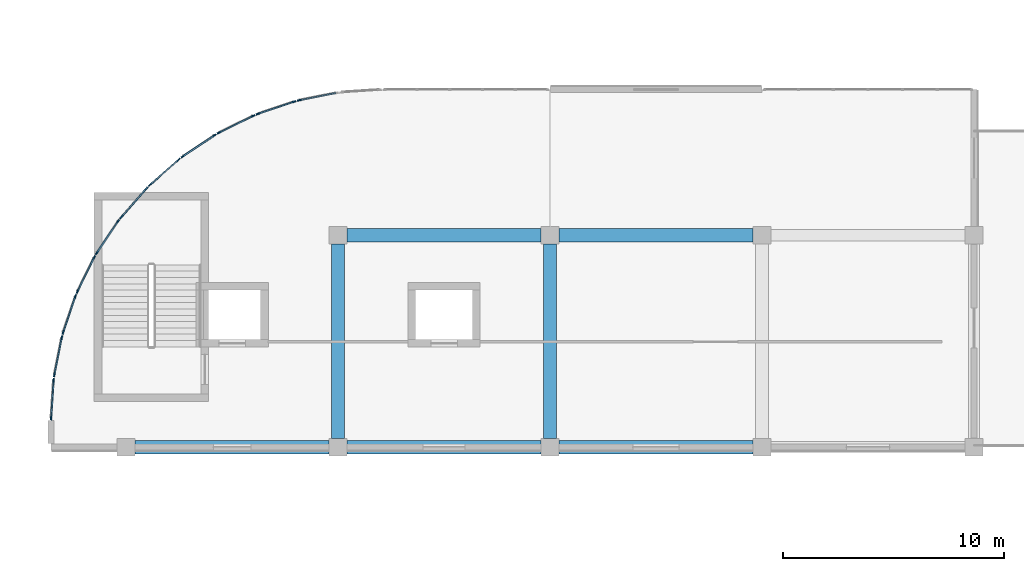
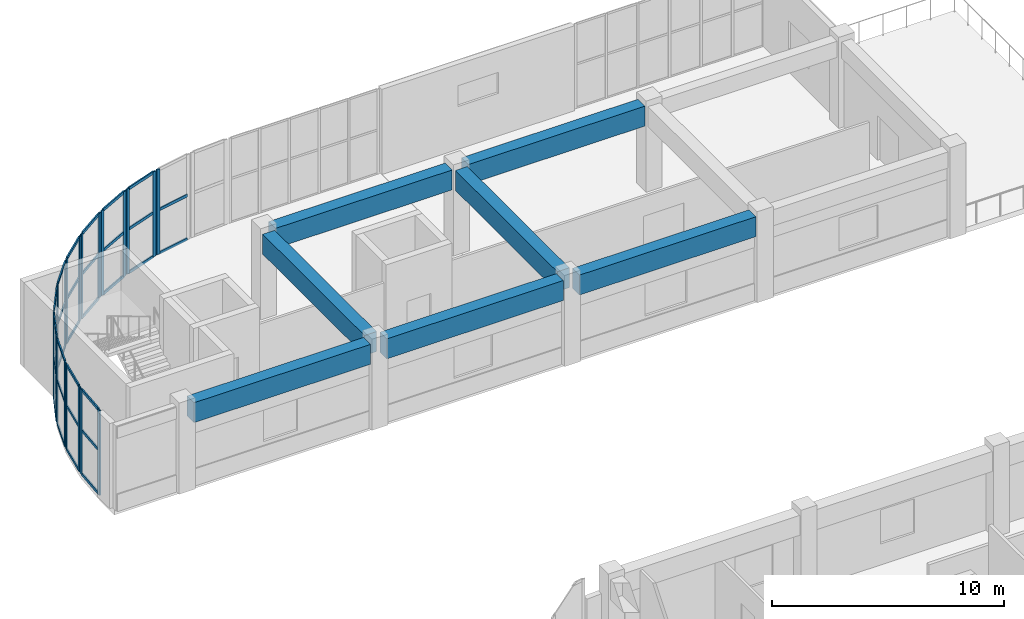
# One storey, part 11 of 33: 53 members, 7 beams, 11 elements without a shape of their own.
"""IFC4 building model written with IfcOpenShell, lengths in metres."""

from ifc_helpers import new_model, si_unit, direction, frame, origin, origin_2d, place, context, subcontext, project, spatial, rectangle, extrude, material, layer, layer_set, material_profile, profile_set, type_object, element, aggregate, save


model = new_model("IFC4")

# Units and contexts
model_context = context("Model", 3, precision=1e-05, world=origin(), true_north=direction((0.0, 1.0)))
body_context = subcontext(model_context, "Body", "Model", "MODEL_VIEW")
ifc_project = project(units=[si_unit("LENGTHUNIT", "METRE"), si_unit("AREAUNIT", "SQUARE_METRE"), si_unit("VOLUMEUNIT", "CUBIC_METRE"), si_unit("PLANEANGLEUNIT", "RADIAN"), si_unit("MASSUNIT", "GRAM", prefix="KILO")], contexts=[model_context])

# Site, building, storey
site_placement = place(None, origin())
site = spatial("IfcSite", under=ifc_project, at=site_placement, CompositionType="ELEMENT")
building_placement = place(site_placement, origin())
building = spatial("IfcBuilding", under=site, at=building_placement, Name="Cendralis Terraced Arcade", CompositionType="ELEMENT")
storey_placement = place(building_placement, frame((0.0, 0.0, 19.800048828125)))
storey = spatial("IfcBuildingStorey", under=building, at=storey_placement, Name="L04", CompositionType="ELEMENT", Elevation=19.800048828125)

# Beams
ifc_material_1 = material(Name="Concrete f'c 35 MPa", Category="concrete")
ifc_material_profile_1 = material_profile(ifc_material_1, rectangle(XDim=0.60009765625, YDim=1.050048828125, at=origin_2d()), Name="RC-BM-600x1050", Category="LoadBearing")
ifc_profile_set_1 = profile_set([ifc_material_profile_1], Name="Concrete f'c 35 MPa")
beam_type = type_object("IfcBeamType", Name="BM-600x1050", PredefinedType="JOIST", material=ifc_profile_set_1)
beam_1_placement = place(storey_placement, frame((10.0, 69.60009765625, 3.954833984375), z_axis=(1.0, 0.0, 0.0), x_axis=(0.0, 1.0, 0.0)))
element("IfcBeam", 1, at=beam_1_placement, inside=storey, type_object=beam_type, Name="Reinforced Concrete Frame Beam BM-X-L05-H-2_3", PredefinedType="JOIST", context=body_context, shape_type="SweptSolid", body=[
    extrude(rectangle(XDim=0.60009765625, YDim=1.050048828125, at=origin_2d()), origin(), (0.0, 0.0, 1.0), 8.800048828125),
])
beam_2_placement = place(storey_placement, frame((19.60009765625, 69.60009765625, 3.954833984375), z_axis=(1.0, 0.0, 0.0), x_axis=(0.0, 1.0, 0.0)))
element("IfcBeam", 2, at=beam_2_placement, inside=storey, type_object=beam_type, Name="Reinforced Concrete Frame Beam BM-X-L05-H-3_4", PredefinedType="JOIST", context=body_context, shape_type="SweptSolid", body=[
    extrude(rectangle(XDim=0.60009765625, YDim=1.050048828125, at=origin_2d()), origin(), (0.0, 0.0, 1.0), 8.7998046875),
])
beam_3_placement = place(storey_placement, frame((29.199951171875, 69.60009765625, 3.954833984375), z_axis=(1.0, 0.0, 0.0), x_axis=(0.0, 1.0, 0.0)))
element("IfcBeam", 3, at=beam_3_placement, inside=storey, type_object=beam_type, Name="Reinforced Concrete Frame Beam BM-X-L05-H-4_5", PredefinedType="JOIST", context=body_context, shape_type="SweptSolid", body=[
    extrude(rectangle(XDim=0.60009765625, YDim=1.050048828125, at=origin_2d()), origin(), (0.0, 0.0, 1.0), 8.800048828125),
])
beam_4_placement = place(storey_placement, frame((19.60009765625, 79.199951171875, 3.954833984375), z_axis=(1.0, 0.0, 0.0), x_axis=(0.0, 1.0, 0.0)))
element("IfcBeam", 4, at=beam_4_placement, inside=storey, type_object=beam_type, Name="Reinforced Concrete Frame Beam BM-X-L05-J-3_4", PredefinedType="JOIST", context=body_context, shape_type="SweptSolid", body=[
    extrude(rectangle(XDim=0.60009765625, YDim=1.050048828125, at=origin_2d()), origin(), (0.0, 0.0, 1.0), 8.7998046875),
])
for number, where, z_axis, x_axis, name in (
    (5, (29.199951171875, 79.199951171875, 3.954833984375), (1.0, 0.0, 0.0), (0.0, 1.0, 0.0), "Reinforced Concrete Frame Beam BM-X-L05-J-4_5"),
    (6, (19.199951171875, 70.0, 3.954833984375), (0.0, 1.0, 0.0), (-1.0, 0.0, 0.0), "Reinforced Concrete Frame Beam BM-Y-L05-3-H_J"),
    (7, (28.800048828125, 70.0, 3.954833984375), (0.0, 1.0, 0.0), (-1.0, 0.0, 0.0), "Reinforced Concrete Frame Beam BM-Y-L05-4-H_J"),
):
    element("IfcBeam", number, at=place(storey_placement, frame(where, z_axis=z_axis, x_axis=x_axis)), inside=storey, type_object=beam_type, Name=name, PredefinedType="JOIST", context=body_context, shape_type="SweptSolid", body=[
        extrude(rectangle(XDim=0.60009765625, YDim=1.050048828125, at=origin_2d()), origin(), (0.0, 0.0, 1.0), 8.800048828125),
    ])

# Curtain wall, members
ifc_material_2 = material(Name="Anodised aluminium EN AW-6063 T6", Category="aluminium")
ifc_layer = layer(ifc_material_2, 0.179931640625, Name="CW-UNIT-A")
ifc_layer_set = layer_set([ifc_layer], Name="Anodised aluminium EN AW-6063 T6")
curtain_wall_type = type_object("IfcCurtainWallType", Name="CW-UNIT-A", PredefinedType="USERDEFINED", material=ifc_layer_set)
curtain_wall_1_placement = place(storey_placement, origin())
curtain_wall_1 = element("IfcCurtainWall", 8, at=curtain_wall_1_placement, inside=storey, type_object=curtain_wall_type, Name="Exterior Unitised Facade CW-L04-0365", ObjectType="UNITISED FACADE", PredefinedType="USERDEFINED")
ifc_material_profile_2 = material_profile(ifc_material_2, rectangle(XDim=0.06494140625, YDim=0.179931640625, at=origin_2d()), Name="ALU-MUL-65x180")
ifc_profile_set_2 = profile_set([ifc_material_profile_2], Name="Anodised aluminium EN AW-6063 T6")
member_type_1 = type_object("IfcMemberType", Name="CW-UNIT-A-MUL", PredefinedType="MULLION", material=ifc_profile_set_2)
member_1_placement = place(storey_placement, frame((6.352294921875, 72.878173828125, 0.0), z_axis=(0.0, 0.0, 1.0), x_axis=(-0.980791618721, 0.195058454434, 0.0)))
member_1 = element("IfcMember", 9, at=member_1_placement, type_object=member_type_1, Name="CW-U1 mullion 1", PredefinedType="MULLION", context=body_context, shape_type="SweptSolid", body=[
    extrude(rectangle(XDim=0.06494140625, YDim=0.179931640625, at=origin_2d()), origin(), (0.0, 0.0, 1.0), 4.47998046875),
])
member_2_placement = place(storey_placement, frame((6.687255859375, 74.56201171875, 0.0), z_axis=(0.0, 0.0, 1.0), x_axis=(-0.980791618721, 0.195058454434, 0.0)))
member_2 = element("IfcMember", 10, at=member_2_placement, type_object=member_type_1, Name="CW-U1 mullion 2", PredefinedType="MULLION", context=body_context, shape_type="SweptSolid", body=[
    extrude(rectangle(XDim=0.06494140625, YDim=0.179931640625, at=origin_2d()), origin(), (0.0, 0.0, 1.0), 4.47998046875),
])

curtain_wall_2_placement = place(storey_placement, origin())
curtain_wall_2 = element("IfcCurtainWall", 11, at=curtain_wall_2_placement, inside=storey, type_object=curtain_wall_type, Name="Exterior Unitised Facade CW-L04-0366", ObjectType="UNITISED FACADE", PredefinedType="USERDEFINED")
member_3_placement = place(storey_placement, frame((6.75048828125, 74.79833984375, 0.0), z_axis=(0.0, 0.0, 1.0), x_axis=(-0.946923811316, 0.321458077458, 0.0)))
member_3 = element("IfcMember", 12, at=member_3_placement, type_object=member_type_1, Name="CW-U1 mullion 1", PredefinedType="MULLION", context=body_context, shape_type="SweptSolid", body=[
    extrude(rectangle(XDim=0.06494140625, YDim=0.179931640625, at=origin_2d()), origin(), (0.0, 0.0, 1.0), 4.47998046875),
])
member_4_placement = place(storey_placement, frame((7.302490234375, 76.42431640625, 0.0), z_axis=(0.0, 0.0, 1.0), x_axis=(-0.946923811316, 0.321458077458, 0.0)))
member_4 = element("IfcMember", 13, at=member_4_placement, type_object=member_type_1, Name="CW-U1 mullion 2", PredefinedType="MULLION", context=body_context, shape_type="SweptSolid", body=[
    extrude(rectangle(XDim=0.06494140625, YDim=0.179931640625, at=origin_2d()), origin(), (0.0, 0.0, 1.0), 4.47998046875),
])

curtain_wall_3_placement = place(storey_placement, origin())
curtain_wall_3 = element("IfcCurtainWall", 14, at=curtain_wall_3_placement, inside=storey, type_object=curtain_wall_type, Name="Exterior Unitised Facade CW-L04-0367", ObjectType="UNITISED FACADE", PredefinedType="USERDEFINED")
member_5_placement = place(storey_placement, frame((7.39599609375, 76.650146484375, 0.0), z_axis=(0.0, 0.0, 1.0), x_axis=(-0.896871480419, 0.442291247495, 0.0)))
member_5 = element("IfcMember", 15, at=member_5_placement, type_object=member_type_1, Name="CW-U1 mullion 1", PredefinedType="MULLION", context=body_context, shape_type="SweptSolid", body=[
    extrude(rectangle(XDim=0.06494140625, YDim=0.179931640625, at=origin_2d()), origin(), (0.0, 0.0, 1.0), 4.47998046875),
])
member_6_placement = place(storey_placement, frame((8.155517578125, 78.190185546875, 0.0), z_axis=(0.0, 0.0, 1.0), x_axis=(-0.896871480419, 0.442291247495, 0.0)))
member_6 = element("IfcMember", 16, at=member_6_placement, type_object=member_type_1, Name="CW-U1 mullion 2", PredefinedType="MULLION", context=body_context, shape_type="SweptSolid", body=[
    extrude(rectangle(XDim=0.06494140625, YDim=0.179931640625, at=origin_2d()), origin(), (0.0, 0.0, 1.0), 4.47998046875),
])

curtain_wall_4_placement = place(storey_placement, origin())
curtain_wall_4 = element("IfcCurtainWall", 17, at=curtain_wall_4_placement, inside=storey, type_object=curtain_wall_type, Name="Exterior Unitised Facade CW-L04-0368", ObjectType="UNITISED FACADE", PredefinedType="USERDEFINED")
member_7_placement = place(storey_placement, frame((8.277587890625, 78.40185546875, 0.0), z_axis=(0.0, 0.0, 1.0), x_axis=(-0.831471454125, 0.555567476528, 0.0)))
member_7 = element("IfcMember", 18, at=member_7_placement, type_object=member_type_1, Name="CW-U1 mullion 1", PredefinedType="MULLION", context=body_context, shape_type="SweptSolid", body=[
    extrude(rectangle(XDim=0.06494140625, YDim=0.179931640625, at=origin_2d()), origin(), (0.0, 0.0, 1.0), 4.47998046875),
])
member_8_placement = place(storey_placement, frame((9.231689453125, 79.82958984375, 0.0), z_axis=(0.0, 0.0, 1.0), x_axis=(-0.831471454125, 0.555567476528, 0.0)))
member_8 = element("IfcMember", 19, at=member_8_placement, type_object=member_type_1, Name="CW-U1 mullion 2", PredefinedType="MULLION", context=body_context, shape_type="SweptSolid", body=[
    extrude(rectangle(XDim=0.06494140625, YDim=0.179931640625, at=origin_2d()), origin(), (0.0, 0.0, 1.0), 4.47998046875),
])

curtain_wall_5_placement = place(storey_placement, origin())
curtain_wall_5 = element("IfcCurtainWall", 20, at=curtain_wall_5_placement, inside=storey, type_object=curtain_wall_type, Name="Exterior Unitised Facade CW-L04-0369", ObjectType="UNITISED FACADE", PredefinedType="USERDEFINED")
member_9_placement = place(storey_placement, frame((9.38037109375, 80.0234375, 0.0), z_axis=(0.0, 0.0, 1.0), x_axis=(-0.751804497477, 0.659386076266, 0.0)))
member_9 = element("IfcMember", 21, at=member_9_placement, type_object=member_type_1, Name="CW-U1 mullion 1", PredefinedType="MULLION", context=body_context, shape_type="SweptSolid", body=[
    extrude(rectangle(XDim=0.06494140625, YDim=0.179931640625, at=origin_2d()), origin(), (0.0, 0.0, 1.0), 4.47998046875),
])
member_10_placement = place(storey_placement, frame((10.5126953125, 81.314453125, 0.0), z_axis=(0.0, 0.0, 1.0), x_axis=(-0.751804497477, 0.659386076266, 0.0)))
member_10 = element("IfcMember", 22, at=member_10_placement, type_object=member_type_1, Name="CW-U1 mullion 2", PredefinedType="MULLION", context=body_context, shape_type="SweptSolid", body=[
    extrude(rectangle(XDim=0.06494140625, YDim=0.179931640625, at=origin_2d()), origin(), (0.0, 0.0, 1.0), 4.47998046875),
])

curtain_wall_6_placement = place(storey_placement, origin())
curtain_wall_6 = element("IfcCurtainWall", 23, at=curtain_wall_6_placement, inside=storey, type_object=curtain_wall_type, Name="Exterior Unitised Facade CW-L04-0370", ObjectType="UNITISED FACADE", PredefinedType="USERDEFINED")
member_11_placement = place(storey_placement, frame((10.685546875, 81.4873046875, 0.0), z_axis=(0.0, 0.0, 1.0), x_axis=(-0.659386076266, 0.751804497477, 0.0)))
member_11 = element("IfcMember", 24, at=member_11_placement, type_object=member_type_1, Name="CW-U1 mullion 1", PredefinedType="MULLION", context=body_context, shape_type="SweptSolid", body=[
    extrude(rectangle(XDim=0.06494140625, YDim=0.179931640625, at=origin_2d()), origin(), (0.0, 0.0, 1.0), 4.47998046875),
])
member_12_placement = place(storey_placement, frame((11.9765625, 82.61962890625, 0.0), z_axis=(0.0, 0.0, 1.0), x_axis=(-0.659386076266, 0.751804497477, 0.0)))
member_12 = element("IfcMember", 25, at=member_12_placement, type_object=member_type_1, Name="CW-U1 mullion 2", PredefinedType="MULLION", context=body_context, shape_type="SweptSolid", body=[
    extrude(rectangle(XDim=0.06494140625, YDim=0.179931640625, at=origin_2d()), origin(), (0.0, 0.0, 1.0), 4.47998046875),
])

curtain_wall_7_placement = place(storey_placement, origin())
curtain_wall_7 = element("IfcCurtainWall", 26, at=curtain_wall_7_placement, inside=storey, type_object=curtain_wall_type, Name="Exterior Unitised Facade CW-L04-0371", ObjectType="UNITISED FACADE", PredefinedType="USERDEFINED")
member_13_placement = place(storey_placement, frame((12.17041015625, 82.768310546875, 0.0), z_axis=(0.0, 0.0, 1.0), x_axis=(-0.555567476528, 0.831471454125, 0.0)))
member_13 = element("IfcMember", 27, at=member_13_placement, type_object=member_type_1, Name="CW-U1 mullion 1", PredefinedType="MULLION", context=body_context, shape_type="SweptSolid", body=[
    extrude(rectangle(XDim=0.06494140625, YDim=0.179931640625, at=origin_2d()), origin(), (0.0, 0.0, 1.0), 4.47998046875),
])
member_14_placement = place(storey_placement, frame((13.59814453125, 83.722412109375, 0.0), z_axis=(0.0, 0.0, 1.0), x_axis=(-0.555567476528, 0.831471454125, 0.0)))
member_14 = element("IfcMember", 28, at=member_14_placement, type_object=member_type_1, Name="CW-U1 mullion 2", PredefinedType="MULLION", context=body_context, shape_type="SweptSolid", body=[
    extrude(rectangle(XDim=0.06494140625, YDim=0.179931640625, at=origin_2d()), origin(), (0.0, 0.0, 1.0), 4.47998046875),
])

curtain_wall_8_placement = place(storey_placement, origin())
curtain_wall_8 = element("IfcCurtainWall", 29, at=curtain_wall_8_placement, inside=storey, type_object=curtain_wall_type, Name="Exterior Unitised Facade CW-L04-0372", ObjectType="UNITISED FACADE", PredefinedType="USERDEFINED")
member_15_placement = place(storey_placement, frame((13.809814453125, 83.844482421875, 0.0), z_axis=(0.0, 0.0, 1.0), x_axis=(-0.442291247495, 0.896871480419, 0.0)))
member_15 = element("IfcMember", 30, at=member_15_placement, type_object=member_type_1, Name="CW-U1 mullion 1", PredefinedType="MULLION", context=body_context, shape_type="SweptSolid", body=[
    extrude(rectangle(XDim=0.06494140625, YDim=0.179931640625, at=origin_2d()), origin(), (0.0, 0.0, 1.0), 4.47998046875),
])
member_16_placement = place(storey_placement, frame((15.349853515625, 84.60400390625, 0.0), z_axis=(0.0, 0.0, 1.0), x_axis=(-0.442291247495, 0.896871480419, 0.0)))
member_16 = element("IfcMember", 31, at=member_16_placement, type_object=member_type_1, Name="CW-U1 mullion 2", PredefinedType="MULLION", context=body_context, shape_type="SweptSolid", body=[
    extrude(rectangle(XDim=0.06494140625, YDim=0.179931640625, at=origin_2d()), origin(), (0.0, 0.0, 1.0), 4.47998046875),
])

curtain_wall_9_placement = place(storey_placement, origin())
curtain_wall_9 = element("IfcCurtainWall", 32, at=curtain_wall_9_placement, inside=storey, type_object=curtain_wall_type, Name="Exterior Unitised Facade CW-L04-0373", ObjectType="UNITISED FACADE", PredefinedType="USERDEFINED")
member_17_placement = place(storey_placement, frame((15.57568359375, 84.697509765625, 0.0), z_axis=(0.0, 0.0, 1.0), x_axis=(-0.321458077458, 0.946923811316, 0.0)))
member_17 = element("IfcMember", 33, at=member_17_placement, type_object=member_type_1, Name="CW-U1 mullion 1", PredefinedType="MULLION", context=body_context, shape_type="SweptSolid", body=[
    extrude(rectangle(XDim=0.06494140625, YDim=0.179931640625, at=origin_2d()), origin(), (0.0, 0.0, 1.0), 4.47998046875),
])
member_18_placement = place(storey_placement, frame((17.20166015625, 85.24951171875, 0.0), z_axis=(0.0, 0.0, 1.0), x_axis=(-0.321458077458, 0.946923811316, 0.0)))
member_18 = element("IfcMember", 34, at=member_18_placement, type_object=member_type_1, Name="CW-U1 mullion 2", PredefinedType="MULLION", context=body_context, shape_type="SweptSolid", body=[
    extrude(rectangle(XDim=0.06494140625, YDim=0.179931640625, at=origin_2d()), origin(), (0.0, 0.0, 1.0), 4.47998046875),
])

# Curtain wall, member
curtain_wall_10_placement = place(storey_placement, origin())
curtain_wall_10 = element("IfcCurtainWall", 35, at=curtain_wall_10_placement, inside=storey, type_object=curtain_wall_type, Name="Exterior Unitised Facade CW-L04-0374", ObjectType="UNITISED FACADE", PredefinedType="USERDEFINED")
member_19_placement = place(storey_placement, frame((17.43798828125, 85.312744140625, 0.0), z_axis=(0.0, 0.0, 1.0), x_axis=(-0.195058454434, 0.980791618721, 0.0)))
member_19 = element("IfcMember", 36, at=member_19_placement, type_object=member_type_1, Name="CW-U1 mullion 1", PredefinedType="MULLION", context=body_context, shape_type="SweptSolid", body=[
    extrude(rectangle(XDim=0.06494140625, YDim=0.179931640625, at=origin_2d()), origin(), (0.0, 0.0, 1.0), 4.47998046875),
])

# Curtain wall, members
curtain_wall_11_placement = place(storey_placement, origin())
curtain_wall_11 = element("IfcCurtainWall", 37, at=curtain_wall_11_placement, inside=storey, type_object=curtain_wall_type, Name="Exterior Unitised Facade CW-L04-0378", ObjectType="UNITISED FACADE", PredefinedType="USERDEFINED")
member_20_placement = place(storey_placement, frame((6.2080078125, 70.922119140625, 0.0), z_axis=(0.0, 0.0, 1.0), x_axis=(-0.997860971336, 0.065371873798, 0.0)))
member_20 = element("IfcMember", 38, at=member_20_placement, type_object=member_type_1, Name="CW-U1 mullion 1", PredefinedType="MULLION", context=body_context, shape_type="SweptSolid", body=[
    extrude(rectangle(XDim=0.06494140625, YDim=0.179931640625, at=origin_2d()), origin(), (0.0, 0.0, 1.0), 4.47998046875),
])
member_21_placement = place(storey_placement, frame((6.3203125, 72.6357421875, 0.0), z_axis=(0.0, 0.0, 1.0), x_axis=(-0.997860971336, 0.065371873798, 0.0)))
member_21 = element("IfcMember", 39, at=member_21_placement, type_object=member_type_1, Name="CW-U1 mullion 2", PredefinedType="MULLION", context=body_context, shape_type="SweptSolid", body=[
    extrude(rectangle(XDim=0.06494140625, YDim=0.179931640625, at=origin_2d()), origin(), (0.0, 0.0, 1.0), 4.47998046875),
])

# Member
ifc_material_profile_3 = material_profile(ifc_material_2, rectangle(XDim=0.06494140625, YDim=0.14990234375, at=origin_2d()), Name="ALU-TRN-65x150")
ifc_profile_set_3 = profile_set([ifc_material_profile_3], Name="Anodised aluminium EN AW-6063 T6")
member_type_2 = type_object("IfcMemberType", Name="CW-UNIT-A-TRN", PredefinedType="USERDEFINED", material=ifc_profile_set_3)
member_22_placement = place(storey_placement, frame((6.358642578125, 72.909912109375, 0.032470703125), z_axis=(0.195064538134, 0.980790408784, 0.0), x_axis=(-0.980790408784, 0.195064538134, 0.0)))
member_22 = element("IfcMember", 40, at=member_22_placement, type_object=member_type_2, Name="CW-U1 transom 1.1", ObjectType="TRANSOM", PredefinedType="USERDEFINED", context=body_context, shape_type="SweptSolid", body=[
    extrude(rectangle(XDim=0.06494140625, YDim=0.14990234375, at=origin_2d()), origin(), (0.0, 0.0, 1.0), 1.652099609375),
])

member_23_placement = place(storey_placement, frame((6.358642578125, 72.909912109375, 2.32958984375), z_axis=(0.195064538134, 0.980790408784, 0.0), x_axis=(-0.980790408784, 0.195064538134, 0.0)))
member_23 = element("IfcMember", 41, at=member_23_placement, type_object=member_type_2, Name="CW-U1 transom 1.2", ObjectType="TRANSOM", PredefinedType="USERDEFINED", context=body_context, shape_type="SweptSolid", body=[
    extrude(rectangle(XDim=0.06494140625, YDim=0.14990234375, at=origin_2d()), origin(), (0.0, 0.0, 1.0), 1.652099609375),
])

member_24_placement = place(storey_placement, frame((6.358642578125, 72.909912109375, 4.447509765625), z_axis=(0.195064538134, 0.980790408784, 0.0), x_axis=(-0.980790408784, 0.195064538134, 0.0)))
member_24 = element("IfcMember", 42, at=member_24_placement, type_object=member_type_2, Name="CW-U1 transom 1.3", ObjectType="TRANSOM", PredefinedType="USERDEFINED", context=body_context, shape_type="SweptSolid", body=[
    extrude(rectangle(XDim=0.06494140625, YDim=0.14990234375, at=origin_2d()), origin(), (0.0, 0.0, 1.0), 1.652099609375),
])

aggregate(curtain_wall_1, [member_1, member_2, member_22, member_23, member_24])

member_25_placement = place(storey_placement, frame((6.760986328125, 74.8291015625, 0.032470703125), z_axis=(0.321409930755, 0.94694015461, 0.0), x_axis=(-0.94694015461, 0.321409930755, 0.0)))
member_25 = element("IfcMember", 43, at=member_25_placement, type_object=member_type_2, Name="CW-U1 transom 1.1", ObjectType="TRANSOM", PredefinedType="USERDEFINED", context=body_context, shape_type="SweptSolid", body=[
    extrude(rectangle(XDim=0.06494140625, YDim=0.14990234375, at=origin_2d()), origin(), (0.0, 0.0, 1.0), 1.652099609375),
])

member_26_placement = place(storey_placement, frame((6.760986328125, 74.8291015625, 2.32958984375), z_axis=(0.321409930755, 0.94694015461, 0.0), x_axis=(-0.94694015461, 0.321409930755, 0.0)))
member_26 = element("IfcMember", 44, at=member_26_placement, type_object=member_type_2, Name="CW-U1 transom 1.2", ObjectType="TRANSOM", PredefinedType="USERDEFINED", context=body_context, shape_type="SweptSolid", body=[
    extrude(rectangle(XDim=0.06494140625, YDim=0.14990234375, at=origin_2d()), origin(), (0.0, 0.0, 1.0), 1.652099609375),
])

member_27_placement = place(storey_placement, frame((6.760986328125, 74.8291015625, 4.447509765625), z_axis=(0.321409930755, 0.94694015461, 0.0), x_axis=(-0.94694015461, 0.321409930755, 0.0)))
member_27 = element("IfcMember", 45, at=member_27_placement, type_object=member_type_2, Name="CW-U1 transom 1.3", ObjectType="TRANSOM", PredefinedType="USERDEFINED", context=body_context, shape_type="SweptSolid", body=[
    extrude(rectangle(XDim=0.06494140625, YDim=0.14990234375, at=origin_2d()), origin(), (0.0, 0.0, 1.0), 1.652099609375),
])

aggregate(curtain_wall_2, [member_3, member_4, member_25, member_26, member_27])

member_28_placement = place(storey_placement, frame((7.410400390625, 76.67919921875, 0.032470703125), z_axis=(0.442300625853, 0.896866855431, 0.0), x_axis=(-0.896866855431, 0.442300625853, 0.0)))
member_28 = element("IfcMember", 46, at=member_28_placement, type_object=member_type_2, Name="CW-U1 transom 1.1", ObjectType="TRANSOM", PredefinedType="USERDEFINED", context=body_context, shape_type="SweptSolid", body=[
    extrude(rectangle(XDim=0.06494140625, YDim=0.14990234375, at=origin_2d()), origin(), (0.0, 0.0, 1.0), 1.652099609375),
])

member_29_placement = place(storey_placement, frame((7.410400390625, 76.67919921875, 2.32958984375), z_axis=(0.442300625853, 0.896866855431, 0.0), x_axis=(-0.896866855431, 0.442300625853, 0.0)))
member_29 = element("IfcMember", 47, at=member_29_placement, type_object=member_type_2, Name="CW-U1 transom 1.2", ObjectType="TRANSOM", PredefinedType="USERDEFINED", context=body_context, shape_type="SweptSolid", body=[
    extrude(rectangle(XDim=0.06494140625, YDim=0.14990234375, at=origin_2d()), origin(), (0.0, 0.0, 1.0), 1.652099609375),
])

member_30_placement = place(storey_placement, frame((7.410400390625, 76.67919921875, 4.447509765625), z_axis=(0.442300625853, 0.896866855431, 0.0), x_axis=(-0.896866855431, 0.442300625853, 0.0)))
member_30 = element("IfcMember", 48, at=member_30_placement, type_object=member_type_2, Name="CW-U1 transom 1.3", ObjectType="TRANSOM", PredefinedType="USERDEFINED", context=body_context, shape_type="SweptSolid", body=[
    extrude(rectangle(XDim=0.06494140625, YDim=0.14990234375, at=origin_2d()), origin(), (0.0, 0.0, 1.0), 1.652099609375),
])

aggregate(curtain_wall_3, [member_5, member_6, member_28, member_29, member_30])

member_31_placement = place(storey_placement, frame((8.295654296875, 78.428955078125, 0.032470703125), z_axis=(0.555654720391, 0.831413153436, 0.0), x_axis=(-0.831413153436, 0.555654720391, 0.0)))
member_31 = element("IfcMember", 49, at=member_31_placement, type_object=member_type_2, Name="CW-U1 transom 1.1", ObjectType="TRANSOM", PredefinedType="USERDEFINED", context=body_context, shape_type="SweptSolid", body=[
    extrude(rectangle(XDim=0.06494140625, YDim=0.14990234375, at=origin_2d()), origin(), (0.0, 0.0, 1.0), 1.652099609375),
])

member_32_placement = place(storey_placement, frame((8.295654296875, 78.428955078125, 2.32958984375), z_axis=(0.555654720391, 0.831413153436, 0.0), x_axis=(-0.831413153436, 0.555654720391, 0.0)))
member_32 = element("IfcMember", 50, at=member_32_placement, type_object=member_type_2, Name="CW-U1 transom 1.2", ObjectType="TRANSOM", PredefinedType="USERDEFINED", context=body_context, shape_type="SweptSolid", body=[
    extrude(rectangle(XDim=0.06494140625, YDim=0.14990234375, at=origin_2d()), origin(), (0.0, 0.0, 1.0), 1.652099609375),
])

member_33_placement = place(storey_placement, frame((8.295654296875, 78.428955078125, 4.447509765625), z_axis=(0.555654720391, 0.831413153436, 0.0), x_axis=(-0.831413153436, 0.555654720391, 0.0)))
member_33 = element("IfcMember", 51, at=member_33_placement, type_object=member_type_2, Name="CW-U1 transom 1.3", ObjectType="TRANSOM", PredefinedType="USERDEFINED", context=body_context, shape_type="SweptSolid", body=[
    extrude(rectangle(XDim=0.06494140625, YDim=0.14990234375, at=origin_2d()), origin(), (0.0, 0.0, 1.0), 1.652099609375),
])

aggregate(curtain_wall_4, [member_7, member_8, member_31, member_32, member_33])

member_34_placement = place(storey_placement, frame((9.40185546875, 80.0478515625, 0.032470703125), z_axis=(0.659341117172, 0.751843927425, 0.0), x_axis=(-0.751843927425, 0.659341117172, 0.0)))
member_34 = element("IfcMember", 52, at=member_34_placement, type_object=member_type_2, Name="CW-U1 transom 1.1", ObjectType="TRANSOM", PredefinedType="USERDEFINED", context=body_context, shape_type="SweptSolid", body=[
    extrude(rectangle(XDim=0.06494140625, YDim=0.14990234375, at=origin_2d()), origin(), (0.0, 0.0, 1.0), 1.652099609375),
])

member_35_placement = place(storey_placement, frame((9.40185546875, 80.0478515625, 2.32958984375), z_axis=(0.659341117172, 0.751843927425, 0.0), x_axis=(-0.751843927425, 0.659341117172, 0.0)))
member_35 = element("IfcMember", 53, at=member_35_placement, type_object=member_type_2, Name="CW-U1 transom 1.2", ObjectType="TRANSOM", PredefinedType="USERDEFINED", context=body_context, shape_type="SweptSolid", body=[
    extrude(rectangle(XDim=0.06494140625, YDim=0.14990234375, at=origin_2d()), origin(), (0.0, 0.0, 1.0), 1.652099609375),
])

member_36_placement = place(storey_placement, frame((9.40185546875, 80.0478515625, 4.447509765625), z_axis=(0.659341117172, 0.751843927425, 0.0), x_axis=(-0.751843927425, 0.659341117172, 0.0)))
member_36 = element("IfcMember", 54, at=member_36_placement, type_object=member_type_2, Name="CW-U1 transom 1.3", ObjectType="TRANSOM", PredefinedType="USERDEFINED", context=body_context, shape_type="SweptSolid", body=[
    extrude(rectangle(XDim=0.06494140625, YDim=0.14990234375, at=origin_2d()), origin(), (0.0, 0.0, 1.0), 1.652099609375),
])

aggregate(curtain_wall_5, [member_9, member_10, member_34, member_35, member_36])

member_37_placement = place(storey_placement, frame((10.7099609375, 81.5087890625, 0.032470703125), z_axis=(0.751843927425, 0.659341117172, 0.0), x_axis=(-0.659341117172, 0.751843927425, 0.0)))
member_37 = element("IfcMember", 55, at=member_37_placement, type_object=member_type_2, Name="CW-U1 transom 1.1", ObjectType="TRANSOM", PredefinedType="USERDEFINED", context=body_context, shape_type="SweptSolid", body=[
    extrude(rectangle(XDim=0.06494140625, YDim=0.14990234375, at=origin_2d()), origin(), (0.0, 0.0, 1.0), 1.652099609375),
])

member_38_placement = place(storey_placement, frame((10.7099609375, 81.5087890625, 2.32958984375), z_axis=(0.751843927425, 0.659341117172, 0.0), x_axis=(-0.659341117172, 0.751843927425, 0.0)))
member_38 = element("IfcMember", 56, at=member_38_placement, type_object=member_type_2, Name="CW-U1 transom 1.2", ObjectType="TRANSOM", PredefinedType="USERDEFINED", context=body_context, shape_type="SweptSolid", body=[
    extrude(rectangle(XDim=0.06494140625, YDim=0.14990234375, at=origin_2d()), origin(), (0.0, 0.0, 1.0), 1.652099609375),
])

member_39_placement = place(storey_placement, frame((10.7099609375, 81.5087890625, 4.447509765625), z_axis=(0.751843927425, 0.659341117172, 0.0), x_axis=(-0.659341117172, 0.751843927425, 0.0)))
member_39 = element("IfcMember", 57, at=member_39_placement, type_object=member_type_2, Name="CW-U1 transom 1.3", ObjectType="TRANSOM", PredefinedType="USERDEFINED", context=body_context, shape_type="SweptSolid", body=[
    extrude(rectangle(XDim=0.06494140625, YDim=0.14990234375, at=origin_2d()), origin(), (0.0, 0.0, 1.0), 1.652099609375),
])

aggregate(curtain_wall_6, [member_11, member_12, member_37, member_38, member_39])

member_40_placement = place(storey_placement, frame((12.197509765625, 82.786376953125, 0.032470703125), z_axis=(0.831413153436, 0.555654720391, 0.0), x_axis=(-0.555654720391, 0.831413153436, 0.0)))
member_40 = element("IfcMember", 58, at=member_40_placement, type_object=member_type_2, Name="CW-U1 transom 1.1", ObjectType="TRANSOM", PredefinedType="USERDEFINED", context=body_context, shape_type="SweptSolid", body=[
    extrude(rectangle(XDim=0.06494140625, YDim=0.14990234375, at=origin_2d()), origin(), (0.0, 0.0, 1.0), 1.652099609375),
])

member_41_placement = place(storey_placement, frame((12.197509765625, 82.786376953125, 2.32958984375), z_axis=(0.831413153436, 0.555654720391, 0.0), x_axis=(-0.555654720391, 0.831413153436, 0.0)))
member_41 = element("IfcMember", 59, at=member_41_placement, type_object=member_type_2, Name="CW-U1 transom 1.2", ObjectType="TRANSOM", PredefinedType="USERDEFINED", context=body_context, shape_type="SweptSolid", body=[
    extrude(rectangle(XDim=0.06494140625, YDim=0.14990234375, at=origin_2d()), origin(), (0.0, 0.0, 1.0), 1.652099609375),
])

member_42_placement = place(storey_placement, frame((12.197509765625, 82.786376953125, 4.447509765625), z_axis=(0.831413153436, 0.555654720391, 0.0), x_axis=(-0.555654720391, 0.831413153436, 0.0)))
member_42 = element("IfcMember", 60, at=member_42_placement, type_object=member_type_2, Name="CW-U1 transom 1.3", ObjectType="TRANSOM", PredefinedType="USERDEFINED", context=body_context, shape_type="SweptSolid", body=[
    extrude(rectangle(XDim=0.06494140625, YDim=0.14990234375, at=origin_2d()), origin(), (0.0, 0.0, 1.0), 1.652099609375),
])

aggregate(curtain_wall_7, [member_13, member_14, member_40, member_41, member_42])

member_43_placement = place(storey_placement, frame((13.839111328125, 83.85888671875, 0.032470703125), z_axis=(0.896866855431, 0.442300625853, 0.0), x_axis=(-0.442300625853, 0.896866855431, 0.0)))
member_43 = element("IfcMember", 61, at=member_43_placement, type_object=member_type_2, Name="CW-U1 transom 1.1", ObjectType="TRANSOM", PredefinedType="USERDEFINED", context=body_context, shape_type="SweptSolid", body=[
    extrude(rectangle(XDim=0.06494140625, YDim=0.14990234375, at=origin_2d()), origin(), (0.0, 0.0, 1.0), 1.652099609375),
])

member_44_placement = place(storey_placement, frame((13.839111328125, 83.85888671875, 2.32958984375), z_axis=(0.896866855431, 0.442300625853, 0.0), x_axis=(-0.442300625853, 0.896866855431, 0.0)))
member_44 = element("IfcMember", 62, at=member_44_placement, type_object=member_type_2, Name="CW-U1 transom 1.2", ObjectType="TRANSOM", PredefinedType="USERDEFINED", context=body_context, shape_type="SweptSolid", body=[
    extrude(rectangle(XDim=0.06494140625, YDim=0.14990234375, at=origin_2d()), origin(), (0.0, 0.0, 1.0), 1.652099609375),
])

member_45_placement = place(storey_placement, frame((13.839111328125, 83.85888671875, 4.447509765625), z_axis=(0.896866855431, 0.442300625853, 0.0), x_axis=(-0.442300625853, 0.896866855431, 0.0)))
member_45 = element("IfcMember", 63, at=member_45_placement, type_object=member_type_2, Name="CW-U1 transom 1.3", ObjectType="TRANSOM", PredefinedType="USERDEFINED", context=body_context, shape_type="SweptSolid", body=[
    extrude(rectangle(XDim=0.06494140625, YDim=0.14990234375, at=origin_2d()), origin(), (0.0, 0.0, 1.0), 1.652099609375),
])

aggregate(curtain_wall_8, [member_15, member_16, member_43, member_44, member_45])

member_46_placement = place(storey_placement, frame((15.6064453125, 84.7080078125, 0.032470703125), z_axis=(0.94694015461, 0.321409930755, 0.0), x_axis=(-0.321409930755, 0.94694015461, 0.0)))
member_46 = element("IfcMember", 64, at=member_46_placement, type_object=member_type_2, Name="CW-U1 transom 1.1", ObjectType="TRANSOM", PredefinedType="USERDEFINED", context=body_context, shape_type="SweptSolid", body=[
    extrude(rectangle(XDim=0.06494140625, YDim=0.14990234375, at=origin_2d()), origin(), (0.0, 0.0, 1.0), 1.652099609375),
])

member_47_placement = place(storey_placement, frame((15.6064453125, 84.7080078125, 2.32958984375), z_axis=(0.94694015461, 0.321409930755, 0.0), x_axis=(-0.321409930755, 0.94694015461, 0.0)))
member_47 = element("IfcMember", 65, at=member_47_placement, type_object=member_type_2, Name="CW-U1 transom 1.2", ObjectType="TRANSOM", PredefinedType="USERDEFINED", context=body_context, shape_type="SweptSolid", body=[
    extrude(rectangle(XDim=0.06494140625, YDim=0.14990234375, at=origin_2d()), origin(), (0.0, 0.0, 1.0), 1.652099609375),
])

member_48_placement = place(storey_placement, frame((15.6064453125, 84.7080078125, 4.447509765625), z_axis=(0.94694015461, 0.321409930755, 0.0), x_axis=(-0.321409930755, 0.94694015461, 0.0)))
member_48 = element("IfcMember", 66, at=member_48_placement, type_object=member_type_2, Name="CW-U1 transom 1.3", ObjectType="TRANSOM", PredefinedType="USERDEFINED", context=body_context, shape_type="SweptSolid", body=[
    extrude(rectangle(XDim=0.06494140625, YDim=0.14990234375, at=origin_2d()), origin(), (0.0, 0.0, 1.0), 1.652099609375),
])

aggregate(curtain_wall_9, [member_17, member_18, member_46, member_47, member_48])

member_49_placement = place(storey_placement, frame((17.4697265625, 85.319091796875, 0.032470703125), z_axis=(0.980790408784, 0.195064538134, 0.0), x_axis=(-0.195064538134, 0.980790408784, 0.0)))
member_49 = element("IfcMember", 67, at=member_49_placement, type_object=member_type_2, Name="CW-U1 transom 1.1", ObjectType="TRANSOM", PredefinedType="USERDEFINED", context=body_context, shape_type="SweptSolid", body=[
    extrude(rectangle(XDim=0.06494140625, YDim=0.14990234375, at=origin_2d()), origin(), (0.0, 0.0, 1.0), 1.652099609375),
])

member_50_placement = place(storey_placement, frame((17.4697265625, 85.319091796875, 2.32958984375), z_axis=(0.980790408784, 0.195064538134, 0.0), x_axis=(-0.195064538134, 0.980790408784, 0.0)))
member_50 = element("IfcMember", 68, at=member_50_placement, type_object=member_type_2, Name="CW-U1 transom 1.2", ObjectType="TRANSOM", PredefinedType="USERDEFINED", context=body_context, shape_type="SweptSolid", body=[
    extrude(rectangle(XDim=0.06494140625, YDim=0.14990234375, at=origin_2d()), origin(), (0.0, 0.0, 1.0), 1.652099609375),
])

aggregate(curtain_wall_10, [member_19, member_49, member_50])

member_51_placement = place(storey_placement, frame((6.210205078125, 70.95458984375, 0.032470703125), z_axis=(0.065312640858, 0.997864850039, 0.0), x_axis=(-0.997864850039, 0.065312640858, 0.0)))
member_51 = element("IfcMember", 69, at=member_51_placement, type_object=member_type_2, Name="CW-U1 transom 1.1", ObjectType="TRANSOM", PredefinedType="USERDEFINED", context=body_context, shape_type="SweptSolid", body=[
    extrude(rectangle(XDim=0.06494140625, YDim=0.14990234375, at=origin_2d()), origin(), (0.0, 0.0, 1.0), 1.652099609375),
])

member_52_placement = place(storey_placement, frame((6.210205078125, 70.95458984375, 2.32958984375), z_axis=(0.065312640858, 0.997864850039, 0.0), x_axis=(-0.997864850039, 0.065312640858, 0.0)))
member_52 = element("IfcMember", 70, at=member_52_placement, type_object=member_type_2, Name="CW-U1 transom 1.2", ObjectType="TRANSOM", PredefinedType="USERDEFINED", context=body_context, shape_type="SweptSolid", body=[
    extrude(rectangle(XDim=0.06494140625, YDim=0.14990234375, at=origin_2d()), origin(), (0.0, 0.0, 1.0), 1.652099609375),
])

member_53_placement = place(storey_placement, frame((6.210205078125, 70.95458984375, 4.447509765625), z_axis=(0.065312640858, 0.997864850039, 0.0), x_axis=(-0.997864850039, 0.065312640858, 0.0)))
member_53 = element("IfcMember", 71, at=member_53_placement, type_object=member_type_2, Name="CW-U1 transom 1.3", ObjectType="TRANSOM", PredefinedType="USERDEFINED", context=body_context, shape_type="SweptSolid", body=[
    extrude(rectangle(XDim=0.06494140625, YDim=0.14990234375, at=origin_2d()), origin(), (0.0, 0.0, 1.0), 1.652099609375),
])

aggregate(curtain_wall_11, [member_20, member_21, member_51, member_52, member_53])

save(model, "model.ifc")
